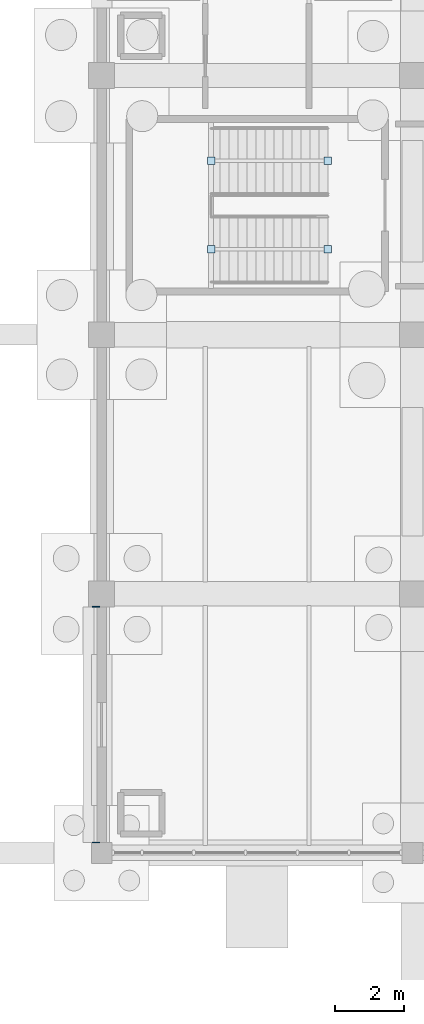
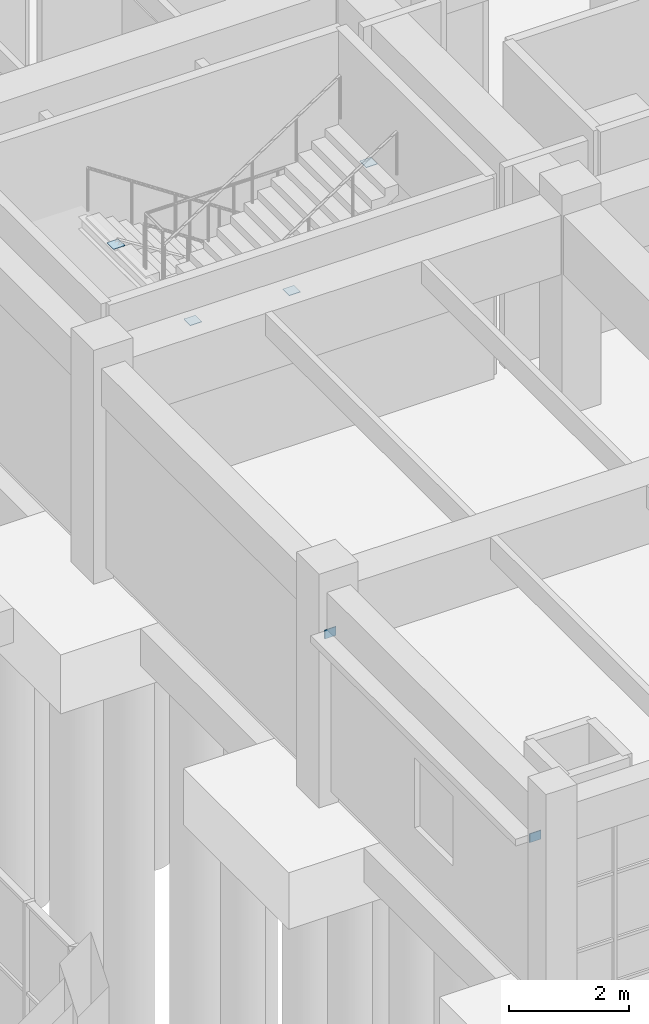
# One storey, part 57 of 93: 6 plates.
"""IFC4 building model written with IfcOpenShell, lengths in metres."""

from ifc_helpers import new_model, si_unit, direction, frame, origin, origin_2d, place, context, subcontext, project, spatial, rectangle, extrude, material, layer, layer_set, type_object, element, save


model = new_model("IFC4")

# Units and contexts
model_context = context("Model", 3, precision=1e-05, world=origin(), true_north=direction((0.0, 1.0)))
body_context = subcontext(model_context, "Body", "Model", "MODEL_VIEW")
ifc_project = project(units=[si_unit("LENGTHUNIT", "METRE"), si_unit("AREAUNIT", "SQUARE_METRE"), si_unit("VOLUMEUNIT", "CUBIC_METRE"), si_unit("PLANEANGLEUNIT", "RADIAN"), si_unit("MASSUNIT", "GRAM", prefix="KILO")], contexts=[model_context])

# Site, building, storey
site_placement = place(None, origin())
site = spatial("IfcSite", under=ifc_project, at=site_placement, CompositionType="ELEMENT")
building_placement = place(site_placement, origin())
building = spatial("IfcBuilding", under=site, at=building_placement, Name="Marnridge Secondary College", CompositionType="ELEMENT")
storey_placement = place(building_placement, origin())
storey = spatial("IfcBuildingStorey", under=building, at=storey_placement, Name="L00", CompositionType="ELEMENT", Elevation=0.0)

# Plates
ifc_material_1 = material(Name="Structural steel plate Grade 350 (AS/NZS 3678, fy = 350 MPa <=12mm, 340 MPa 12-20mm, 330 MPa 20-50mm)", Category="steel")
ifc_layer_1 = layer(ifc_material_1, 0.010009765625)
ifc_layer_set_1 = layer_set([ifc_layer_1], Name="PT-CAP-INT")
plate_type_1 = type_object("IfcPlateType", Name="PT-CAP-INT", PredefinedType="SHEET", material=ifc_layer_set_1)
for number, where, z_axis, x_axis, name in (
    (1, (60.54833984375, 57.530029296875, 0.01123046875), (0.0, 0.0, 1.0), (-1.0, 0.0, 0.0), "Tube end cap STR-001-EC1"),
    (2, (57.171630859375, 57.530029296875, 2.1357421875), (0.0, 0.0, 1.0), (-1.0, 0.0, 0.0), "Tube end cap STR-001-EC2"),
    (3, (57.171630859375, 54.969970703125, 2.13818359375), (0.0, 0.0, 1.0), (1.0, 0.0, 0.0), "Tube end cap STR-002-EC1"),
    (4, (60.54833984375, 54.969970703125, 4.166015625), (0.0, 0.0, 1.0), (1.0, 0.0, 0.0), "Tube end cap STR-002-EC2"),
):
    element("IfcPlate", number, at=place(storey_placement, frame(where, z_axis=z_axis, x_axis=x_axis)), inside=storey, type_object=plate_type_1, Name=name, PredefinedType="SHEET", context=body_context, shape_type="SweptSolid", body=[
        extrude(rectangle(XDim=0.219970703125, YDim=0.219970703125, at=origin_2d()), origin(), (0.0, 0.0, 1.0), 0.010009765625),
    ])
ifc_material_2 = material(Name="Structural steel plate Grade 350 (AS/NZS 3678, fy = 350 MPa <=12mm, 340 MPa 12-20mm, 330 MPa 20-50mm)", Category="steel")
ifc_layer_2 = layer(ifc_material_2, 0.02392578125)
ifc_layer_set_2 = layer_set([ifc_layer_2], Name="PT-GUS-GSN2")
plate_type_2 = type_object("IfcPlateType", Name="PT-GUS-GSN2", PredefinedType="USERDEFINED", material=ifc_layer_set_2)
for number, where, z_axis, x_axis, name in (
    (5, (53.840087890625, 37.800048828125, 3.15185546875), (0.0, 0.0, 1.0), (1.0, 0.0, 0.0), "Solar fin end bracket plate SFN-0003-BP1"),
    (6, (53.840087890625, 44.625, 3.15185546875), (0.0, 0.0, 1.0), (1.0, 0.0, 0.0), "Solar fin end bracket plate SFN-0003-BP2"),
):
    element("IfcPlate", number, at=place(storey_placement, frame(where, z_axis=z_axis, x_axis=x_axis)), inside=storey, type_object=plate_type_2, Name=name, ObjectType="GUSSET PLATE", PredefinedType="USERDEFINED", context=body_context, shape_type="SweptSolid", body=[
        extrude(rectangle(XDim=0.219970703125, YDim=0.01806640625, at=origin_2d()), origin(), (0.0, 0.0, 1.0), 0.179931640625),
    ])

save(model, "model.ifc")
